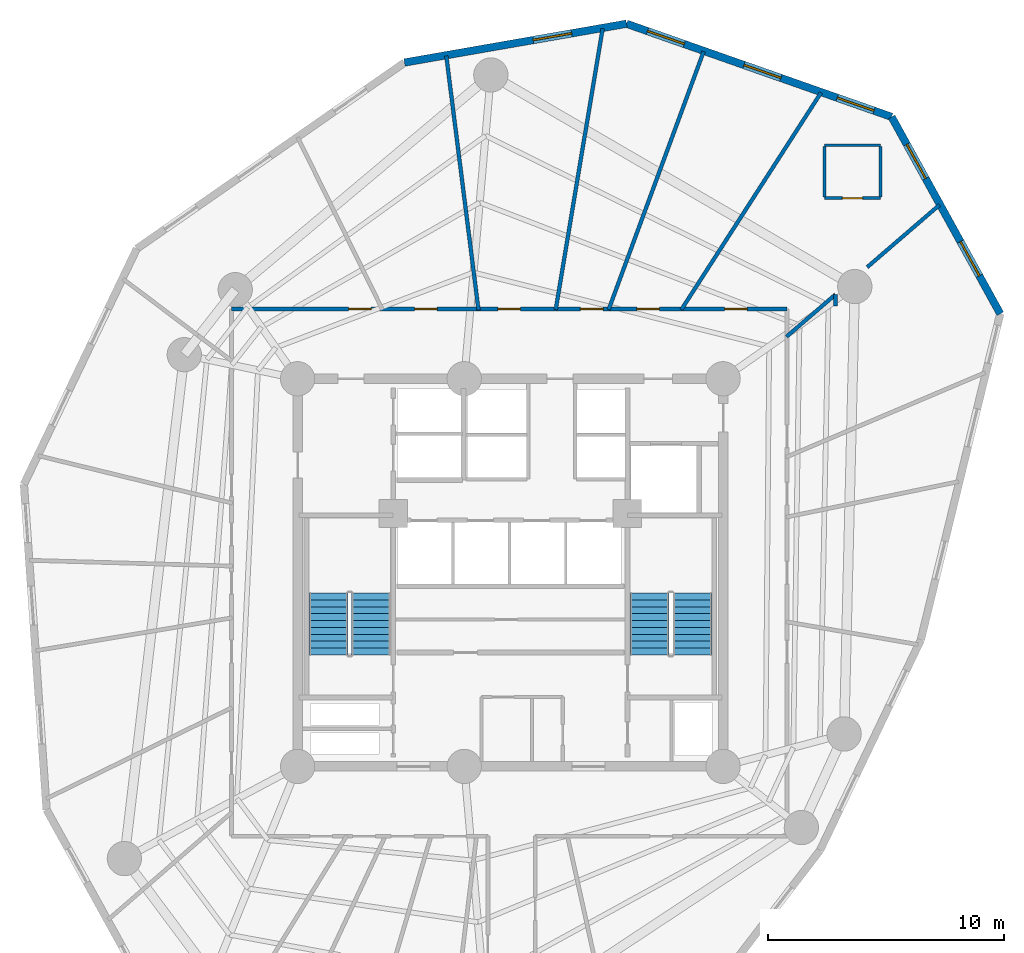
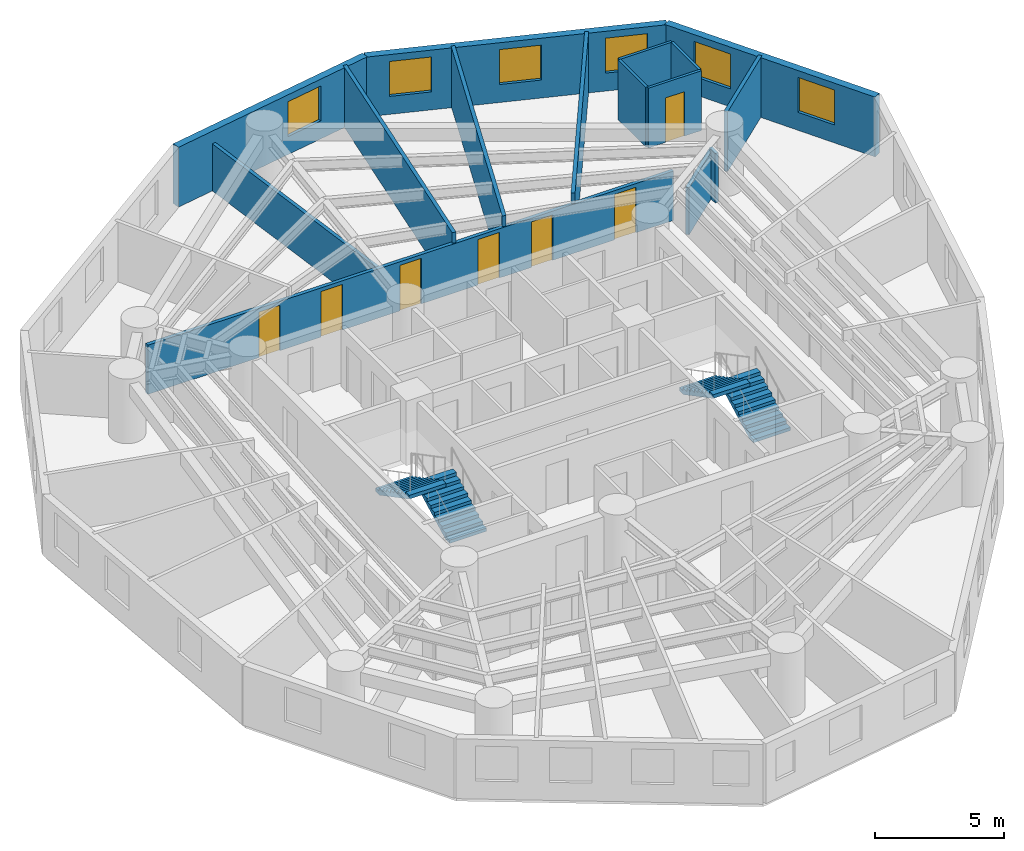
# One storey, part 6 of 7: 15 walls, 7 doors, 6 windows, 4 stair flights, 13 openings, 2 elements without a shape of their own.
"""IFC4 building model written with IfcOpenShell, lengths in metres."""

from ifc_helpers import new_model, si_unit, direction, frame, frame_2d, origin, origin_with_axes, place, context, subcontext, project, spatial, polyline, rectangle, outline, extrude, source, transform, mapped, material, layer, layer_set, type_object, element, fill, aggregate, save


model = new_model("IFC4")

# Units and contexts
model_context = context("Model", 3, precision=1e-05, world=origin(), true_north=direction((0.0, 1.0)))
body_context = subcontext(model_context, "Body", "Model", "MODEL_VIEW")
ifc_project = project(units=[si_unit("LENGTHUNIT", "METRE"), si_unit("AREAUNIT", "SQUARE_METRE"), si_unit("VOLUMEUNIT", "CUBIC_METRE"), si_unit("PLANEANGLEUNIT", "RADIAN"), si_unit("MASSUNIT", "GRAM", prefix="KILO")], contexts=[model_context])

# Site, building, storey
site_placement = place(None, origin())
site = spatial("IfcSite", under=ifc_project, at=site_placement, CompositionType="ELEMENT")
building_placement = place(site_placement, origin())
building = spatial("IfcBuilding", under=site, at=building_placement, Name="Karkom Vertical University and Central Library", CompositionType="ELEMENT")
storey_placement = place(building_placement, frame((0.0, 0.0, 123.64990234375)))
storey = spatial("IfcBuildingStorey", under=building, at=storey_placement, Name="L34", CompositionType="ELEMENT", Elevation=123.64990234375)

# Wall, openings, windows
ifc_material_1 = material(Name="Brick-faced precast concrete C45/55", Category="masonry")
ifc_layer_1 = layer(ifc_material_1, 0.320068359375)
ifc_layer_set_1 = layer_set([ifc_layer_1], Name="Brick-faced precast concrete C45/55")
wall_type_1 = type_object("IfcWallType", Name="ENV-WL-BRK-320", PredefinedType="SOLIDWALL", material=ifc_layer_set_1)
wall_1_placement = place(storey_placement, frame((49.226318359375, 37.44775390625, 0.0), z_axis=(0.0, 0.0, 1.0), x_axis=(-0.483190594732, 0.875515190709, 0.0)))
wall_1 = element("IfcWall", 1, at=wall_1_placement, inside=storey, type_object=wall_type_1, Name="Level 34 Brick-Faced Precast Facade Wall 09", PredefinedType="SOLIDWALL", context=body_context, shape_type="SweptSolid", body=[
    extrude(rectangle(XDim=9.5166015625, YDim=0.320068359375, at=frame_2d((4.75830078125, 0.0))), origin(), (0.0, 0.0, 1.0), 2.8251953125),
])
opening_1_placement = place(wall_1_placement, frame((1.83935546875, 0.0, 0.85009765625)))
opening_1 = element("IfcOpeningElement", 2, at=opening_1_placement, cuts=wall_1, Name="Opening WN-06", PredefinedType="OPENING", context=body_context, shape_type="SweptSolid", body=[
    extrude(rectangle(XDim=1.64990234375, YDim=1.64990234375, at=frame_2d((0.824951171875, 0.824951171875))), frame((0.0, 0.169921875, 0.0), z_axis=(0.0, -1.0, 0.0), x_axis=(1.0, 0.0, 0.0)), (0.0, 0.0, 1.0), 0.340087890625),
])
opening_2_placement = place(wall_1_placement, frame((6.537841796875, 0.0, 0.85009765625)))
opening_2 = element("IfcOpeningElement", 3, at=opening_2_placement, cuts=wall_1, Name="Opening WN-06", PredefinedType="OPENING", context=body_context, shape_type="SweptSolid", body=[
    extrude(rectangle(XDim=1.64990234375, YDim=1.64990234375, at=frame_2d((0.824951171875, 0.824951171875))), frame((0.0, 0.169921875, 0.0), z_axis=(0.0, -1.0, 0.0), x_axis=(1.0, 0.0, 0.0)), (0.0, 0.0, 1.0), 0.340087890625),
])
ifc_material_2 = material(Name="Aluminium thermal-break frame with solar-control IGU", Category="aluminium")
window_type = type_object("IfcWindowType", Name="ENV-WIN-WN-06", PartitioningType="SINGLE_PANEL", PredefinedType="WINDOW", material=ifc_material_2)
shared_shape_1 = source(origin_with_axes(), body_context, "Body", "SweptSolid", [
    extrude(rectangle(XDim=1.64990234375, YDim=1.64990234375, at=frame_2d((0.824951171875, 0.824951171875))), frame((0.0, 0.030029296875, 0.0), z_axis=(0.0, -1.0, 0.0), x_axis=(1.0, 0.0, 0.0)), (0.0, 0.0, 1.0), 0.06005859375),
])
window_1_placement = place(opening_1_placement, origin())
window_1 = element("IfcWindow", 4, at=window_1_placement, inside=storey, type_object=window_type, Name="Level 34 Punched Window 9.1", OverallHeight=1.64990234375, OverallWidth=1.64990234375, PartitioningType="SINGLE_PANEL", PredefinedType="WINDOW", context=body_context, shape_type="MappedRepresentation", body=[
    mapped(shared_shape_1, transform((0.0, 0.0, 0.0), scale=1.0)),
])
fill(opening_1, window_1)
window_2_placement = place(opening_2_placement, origin())
window_2 = element("IfcWindow", 5, at=window_2_placement, inside=storey, type_object=window_type, Name="Level 34 Punched Window 9.2", OverallHeight=1.64990234375, OverallWidth=1.64990234375, PartitioningType="SINGLE_PANEL", PredefinedType="WINDOW", context=body_context, shape_type="MappedRepresentation", body=[
    mapped(shared_shape_1, transform((0.0, 0.0, 0.0), scale=1.0)),
])
fill(opening_2, window_2)

wall_2_placement = place(storey_placement, frame((44.6279296875, 45.77978515625, 0.0), z_axis=(0.0, 0.0, 1.0), x_axis=(-0.943484621609, 0.331416307366, 0.0)))
wall_2 = element("IfcWall", 6, at=wall_2_placement, inside=storey, type_object=wall_type_1, Name="Level 34 Brick-Faced Precast Facade Wall 10", PredefinedType="SOLIDWALL", context=body_context, shape_type="SweptSolid", body=[
    extrude(rectangle(XDim=11.8837890625, YDim=0.320068359375, at=frame_2d((5.94189453125, 0.0))), origin(), (0.0, 0.0, 1.0), 2.8251953125),
])
opening_3_placement = place(wall_2_placement, frame((0.787109375, 0.0, 0.85009765625)))
opening_3 = element("IfcOpeningElement", 7, at=opening_3_placement, cuts=wall_2, Name="Opening WN-06", PredefinedType="OPENING", context=body_context, shape_type="SweptSolid", body=[
    extrude(rectangle(XDim=1.64990234375, YDim=1.64990234375, at=frame_2d((0.824951171875, 0.824951171875))), frame((0.0, 0.169921875, 0.0), z_axis=(0.0, -1.0, 0.0), x_axis=(1.0, 0.0, 0.0)), (0.0, 0.0, 1.0), 0.340087890625),
])
opening_4_placement = place(wall_2_placement, frame((4.96630859375, 0.0, 0.85009765625)))
opening_4 = element("IfcOpeningElement", 8, at=opening_4_placement, cuts=wall_2, Name="Opening WN-06", PredefinedType="OPENING", context=body_context, shape_type="SweptSolid", body=[
    extrude(rectangle(XDim=1.64990234375, YDim=1.64990234375, at=frame_2d((0.824951171875, 0.824951171875))), frame((0.0, 0.169921875, 0.0), z_axis=(0.0, -1.0, 0.0), x_axis=(1.0, 0.0, 0.0)), (0.0, 0.0, 1.0), 0.340087890625),
])
opening_5_placement = place(wall_2_placement, frame((9.296142578125, 0.0, 0.85009765625)))
opening_5 = element("IfcOpeningElement", 9, at=opening_5_placement, cuts=wall_2, Name="Opening WN-06", PredefinedType="OPENING", context=body_context, shape_type="SweptSolid", body=[
    extrude(rectangle(XDim=1.64990234375, YDim=1.64990234375, at=frame_2d((0.824951171875, 0.824951171875))), frame((0.0, 0.169921875, 0.0), z_axis=(0.0, -1.0, 0.0), x_axis=(1.0, 0.0, 0.0)), (0.0, 0.0, 1.0), 0.340087890625),
])
window_3_placement = place(opening_3_placement, origin())
window_3 = element("IfcWindow", 10, at=window_3_placement, inside=storey, type_object=window_type, Name="Level 34 Punched Window 10.1", OverallHeight=1.64990234375, OverallWidth=1.64990234375, PartitioningType="SINGLE_PANEL", PredefinedType="WINDOW", context=body_context, shape_type="MappedRepresentation", body=[
    mapped(shared_shape_1, transform((0.0, 0.0, 0.0), scale=1.0)),
])
fill(opening_3, window_3)
window_4_placement = place(opening_4_placement, origin())
window_4 = element("IfcWindow", 11, at=window_4_placement, inside=storey, type_object=window_type, Name="Level 34 Punched Window 10.2", OverallHeight=1.64990234375, OverallWidth=1.64990234375, PartitioningType="SINGLE_PANEL", PredefinedType="WINDOW", context=body_context, shape_type="MappedRepresentation", body=[
    mapped(shared_shape_1, transform((0.0, 0.0, 0.0), scale=1.0)),
])
fill(opening_4, window_4)
window_5_placement = place(opening_5_placement, origin())
window_5 = element("IfcWindow", 12, at=window_5_placement, inside=storey, type_object=window_type, Name="Level 34 Punched Window 10.3", OverallHeight=1.64990234375, OverallWidth=1.64990234375, PartitioningType="SINGLE_PANEL", PredefinedType="WINDOW", context=body_context, shape_type="MappedRepresentation", body=[
    mapped(shared_shape_1, transform((0.0, 0.0, 0.0), scale=1.0)),
])
fill(opening_5, window_5)

# Wall, opening, window
wall_3_placement = place(storey_placement, frame((33.415771484375, 49.71826171875, 0.0), z_axis=(0.0, 0.0, 1.0), x_axis=(-0.985088439162, -0.172048734463, 0.0)))
wall_3 = element("IfcWall", 13, at=wall_3_placement, inside=storey, type_object=wall_type_1, Name="Level 34 Brick-Faced Precast Facade Wall 11", PredefinedType="SOLIDWALL", context=body_context, shape_type="SweptSolid", body=[
    extrude(rectangle(XDim=9.537353515625, YDim=0.320068359375, at=frame_2d((4.7685546875, 0.0))), origin(), (0.0, 0.0, 1.0), 2.8251953125),
])
opening_6_placement = place(wall_3_placement, frame((2.3564453125, 0.0, 0.85009765625)))
opening_6 = element("IfcOpeningElement", 14, at=opening_6_placement, cuts=wall_3, Name="Opening WN-06", PredefinedType="OPENING", context=body_context, shape_type="SweptSolid", body=[
    extrude(rectangle(XDim=1.64990234375, YDim=1.64990234375, at=frame_2d((0.824951171875, 0.824951171875))), frame((0.0, 0.169921875, 0.0), z_axis=(0.0, -1.0, 0.0), x_axis=(1.0, 0.0, 0.0)), (0.0, 0.0, 1.0), 0.340087890625),
])
window_6_placement = place(opening_6_placement, origin())
window_6 = element("IfcWindow", 15, at=window_6_placement, inside=storey, type_object=window_type, Name="Level 34 Punched Window 11.1", OverallHeight=1.64990234375, OverallWidth=1.64990234375, PartitioningType="SINGLE_PANEL", PredefinedType="WINDOW", context=body_context, shape_type="MappedRepresentation", body=[
    mapped(shared_shape_1, transform((0.0, 0.0, 0.0), scale=1.0)),
])
fill(opening_6, window_6)

# Wall, openings, doors
ifc_material_3 = material(Name="Insulated metal-stud drywall 160mm", Category="gypsum")
ifc_layer_2 = layer(ifc_material_3, 0.159912109375)
ifc_layer_set_2 = layer_set([ifc_layer_2], Name="Insulated metal-stud drywall 160mm")
wall_type_2 = type_object("IfcWallType", Name="INT-WL-COR-160", PredefinedType="PARTITIONING", material=ifc_layer_set_2)
wall_4_placement = place(storey_placement, frame((16.699951171875, 37.64990234375, 0.0), z_axis=(0.0, 0.0, 1.0), x_axis=(1.0, 0.0, 0.0)))
wall_4 = element("IfcWall", 16, at=wall_4_placement, inside=storey, type_object=wall_type_2, Name="Level 34 Interior Partition Wall L34-CORW-CW-003", PredefinedType="PARTITIONING", context=body_context, shape_type="SweptSolid", body=[
    extrude(rectangle(XDim=23.5, YDim=0.159912109375, at=frame_2d((11.75, 0.0))), origin(), (0.0, 0.0, 1.0), 2.3251953125),
])
opening_7_placement = place(wall_4_placement, frame((20.86572265625, 0.0, 0.0)))
opening_7 = element("IfcOpeningElement", 17, at=opening_7_placement, cuts=wall_4, Name="Opening D-RM1", PredefinedType="OPENING", context=body_context, shape_type="SweptSolid", body=[
    extrude(rectangle(XDim=0.949951171875, YDim=2.14990234375, at=frame_2d((0.47509765625, 1.074951171875))), frame((0.0, 0.08984375, 0.0), z_axis=(0.0, -1.0, 0.0), x_axis=(1.0, 0.0, 0.0)), (0.0, 0.0, 1.0), 0.179931640625),
])
opening_8_placement = place(wall_4_placement, frame((17.14990234375, 0.0, 0.0)))
opening_8 = element("IfcOpeningElement", 18, at=opening_8_placement, cuts=wall_4, Name="Opening D-RM1", PredefinedType="OPENING", context=body_context, shape_type="SweptSolid", body=[
    extrude(rectangle(XDim=0.949951171875, YDim=2.14990234375, at=frame_2d((0.47509765625, 1.074951171875))), frame((0.0, 0.08984375, 0.0), z_axis=(0.0, -1.0, 0.0), x_axis=(1.0, 0.0, 0.0)), (0.0, 0.0, 1.0), 0.179931640625),
])
opening_9_placement = place(wall_4_placement, frame((14.760009765625, 0.0, 0.0)))
opening_9 = element("IfcOpeningElement", 19, at=opening_9_placement, cuts=wall_4, Name="Opening FD-RM2", PredefinedType="OPENING", context=body_context, shape_type="SweptSolid", body=[
    extrude(rectangle(XDim=0.9599609375, YDim=2.14990234375, at=frame_2d((0.47998046875, 1.074951171875))), frame((0.0, 0.08984375, 0.0), z_axis=(0.0, -1.0, 0.0), x_axis=(1.0, 0.0, 0.0)), (0.0, 0.0, 1.0), 0.179931640625),
])
opening_10_placement = place(wall_4_placement, frame((11.27490234375, 0.0, 0.0)))
opening_10 = element("IfcOpeningElement", 20, at=opening_10_placement, cuts=wall_4, Name="Opening D-RM1", PredefinedType="OPENING", context=body_context, shape_type="SweptSolid", body=[
    extrude(rectangle(XDim=0.949951171875, YDim=2.14990234375, at=frame_2d((0.47509765625, 1.074951171875))), frame((0.0, 0.08984375, 0.0), z_axis=(0.0, -1.0, 0.0), x_axis=(1.0, 0.0, 0.0)), (0.0, 0.0, 1.0), 0.179931640625),
])
opening_11_placement = place(wall_4_placement, frame((7.75, 0.0, 0.0)))
opening_11 = element("IfcOpeningElement", 21, at=opening_11_placement, cuts=wall_4, Name="Opening D-RM1", PredefinedType="OPENING", context=body_context, shape_type="SweptSolid", body=[
    extrude(rectangle(XDim=0.949951171875, YDim=2.14990234375, at=frame_2d((0.47509765625, 1.074951171875))), frame((0.0, 0.08984375, 0.0), z_axis=(0.0, -1.0, 0.0), x_axis=(1.0, 0.0, 0.0)), (0.0, 0.0, 1.0), 0.179931640625),
])
opening_12_placement = place(wall_4_placement, frame((4.9599609375, 0.0, 0.0)))
opening_12 = element("IfcOpeningElement", 22, at=opening_12_placement, cuts=wall_4, Name="Opening D-RM1", PredefinedType="OPENING", context=body_context, shape_type="SweptSolid", body=[
    extrude(rectangle(XDim=0.949951171875, YDim=2.14990234375, at=frame_2d((0.47509765625, 1.074951171875))), frame((0.0, 0.08984375, 0.0), z_axis=(0.0, -1.0, 0.0), x_axis=(1.0, 0.0, 0.0)), (0.0, 0.0, 1.0), 0.179931640625),
])
ifc_material_4 = material(Name="Fire-rated oak veneer door", Category="wood")
door_type_1 = type_object("IfcDoorType", Name="INT-DR-FRM2", OperationType="NOTDEFINED", PredefinedType="DOOR", material=ifc_material_4)
shared_shape_2 = source(origin_with_axes(), body_context, "Body", "SweptSolid", [
    extrude(rectangle(XDim=0.9599609375, YDim=2.14990234375, at=frame_2d((0.47998046875, 1.074951171875))), frame((0.0, 0.02490234375, 0.0), z_axis=(0.0, -1.0, 0.0), x_axis=(1.0, 0.0, 0.0)), (0.0, 0.0, 1.0), 0.050048828125),
])
door_1_placement = place(opening_9_placement, origin())
door_1 = element("IfcDoor", 23, at=door_1_placement, inside=storey, type_object=door_type_1, Name="Level 34 Room Entry Door 160", OperationType="SINGLE_SWING_LEFT", OverallHeight=2.14990234375, OverallWidth=0.9599609375, PredefinedType="DOOR", context=body_context, shape_type="MappedRepresentation", body=[
    mapped(shared_shape_2, transform((0.0, 0.0, 0.0), scale=1.0)),
])
fill(opening_9, door_1)
ifc_material_5 = material(Name="Solid-core oak veneer door", Category="wood")
door_type_2 = type_object("IfcDoorType", Name="INT-DR-RM1", OperationType="NOTDEFINED", PredefinedType="DOOR", material=ifc_material_5)
shared_shape_3 = source(origin_with_axes(), body_context, "Body", "SweptSolid", [
    extrude(rectangle(XDim=0.949951171875, YDim=2.14990234375, at=frame_2d((0.47509765625, 1.074951171875))), frame((0.0, 0.02490234375, 0.0), z_axis=(0.0, -1.0, 0.0), x_axis=(1.0, 0.0, 0.0)), (0.0, 0.0, 1.0), 0.050048828125),
])
door_2_placement = place(opening_7_placement, origin())
door_2 = element("IfcDoor", 24, at=door_2_placement, inside=storey, type_object=door_type_2, Name="Level 34 Room Entry Door 140", OperationType="SINGLE_SWING_LEFT", OverallHeight=2.14990234375, OverallWidth=0.949951171875, PredefinedType="DOOR", context=body_context, shape_type="MappedRepresentation", body=[
    mapped(shared_shape_3, transform((0.0, 0.0, 0.0), scale=1.0)),
])
fill(opening_7, door_2)
door_3_placement = place(opening_8_placement, origin())
door_3 = element("IfcDoor", 25, at=door_3_placement, inside=storey, type_object=door_type_2, Name="Level 34 Room Entry Door 150", OperationType="SINGLE_SWING_RIGHT", OverallHeight=2.14990234375, OverallWidth=0.949951171875, PredefinedType="DOOR", context=body_context, shape_type="MappedRepresentation", body=[
    mapped(shared_shape_3, transform((0.0, 0.0, 0.0), scale=1.0)),
])
fill(opening_8, door_3)
door_4_placement = place(opening_10_placement, origin())
door_4 = element("IfcDoor", 26, at=door_4_placement, inside=storey, type_object=door_type_2, Name="Level 34 Room Entry Door 170", OperationType="SINGLE_SWING_RIGHT", OverallHeight=2.14990234375, OverallWidth=0.949951171875, PredefinedType="DOOR", context=body_context, shape_type="MappedRepresentation", body=[
    mapped(shared_shape_3, transform((0.0, 0.0, 0.0), scale=1.0)),
])
fill(opening_10, door_4)
door_5_placement = place(opening_11_placement, origin())
door_5 = element("IfcDoor", 27, at=door_5_placement, inside=storey, type_object=door_type_2, Name="Level 34 Room Entry Door 180", OperationType="SINGLE_SWING_LEFT", OverallHeight=2.14990234375, OverallWidth=0.949951171875, PredefinedType="DOOR", context=body_context, shape_type="MappedRepresentation", body=[
    mapped(shared_shape_3, transform((0.0, 0.0, 0.0), scale=1.0)),
])
fill(opening_11, door_5)
door_6_placement = place(opening_12_placement, origin())
door_6 = element("IfcDoor", 28, at=door_6_placement, inside=storey, type_object=door_type_2, Name="Level 34 Room Entry Door 190", OperationType="SINGLE_SWING_RIGHT", OverallHeight=2.14990234375, OverallWidth=0.949951171875, PredefinedType="DOOR", context=body_context, shape_type="MappedRepresentation", body=[
    mapped(shared_shape_3, transform((0.0, 0.0, 0.0), scale=1.0)),
])
fill(opening_12, door_6)

# Walls
wall_5_placement = place(storey_placement, frame((30.41796875, 37.620361328125, 0.0), z_axis=(0.0, 0.0, 1.0), x_axis=(0.164710933683, 0.98634188207, 0.0)))
element("IfcWall", 29, at=wall_5_placement, inside=storey, type_object=wall_type_2, Name="Level 34 Interior Partition Wall L34-PW-019", PredefinedType="PARTITIONING", context=body_context, shape_type="SweptSolid", body=[
    extrude(rectangle(XDim=12.056396484375, YDim=0.159912109375, at=frame_2d((6.0283203125, 0.0))), origin(), (0.0, 0.0, 1.0), 2.8251953125),
])
wall_6_placement = place(storey_placement, frame((32.656982421875, 37.621826171875, 0.0), z_axis=(0.0, 0.0, 1.0), x_axis=(0.345391402171, 0.938458725414, 0.0)))
element("IfcWall", 30, at=wall_6_placement, inside=storey, type_object=wall_type_2, Name="Level 34 Interior Partition Wall L34-PW-018", PredefinedType="PARTITIONING", context=body_context, shape_type="SweptSolid", body=[
    extrude(rectangle(XDim=11.640380859375, YDim=0.159912109375, at=frame_2d((5.8203125, 0.0))), origin(), (0.0, 0.0, 1.0), 2.8251953125),
])
wall_7_placement = place(storey_placement, frame((35.73388671875, 37.624755859375, 0.0), z_axis=(0.0, 0.0, 1.0), x_axis=(0.54132507633, 0.840813392933, 0.0)))
element("IfcWall", 31, at=wall_7_placement, inside=storey, type_object=wall_type_2, Name="Level 34 Interior Partition Wall L34-PW-017", PredefinedType="PARTITIONING", context=body_context, shape_type="SweptSolid", body=[
    extrude(rectangle(XDim=10.9130859375, YDim=0.159912109375, at=frame_2d((5.45654296875, 0.0))), origin(), (0.0, 0.0, 1.0), 2.8251953125),
])
wall_8_placement = place(storey_placement, frame((27.153076171875, 37.605224609375, 0.0), z_axis=(0.0, 0.0, 1.0), x_axis=(-0.125744588112, 0.992062648506, 0.0)))
element("IfcWall", 32, at=wall_8_placement, inside=storey, type_object=wall_type_2, Name="Level 34 Interior Partition Wall L34-PW-020", PredefinedType="PARTITIONING", context=body_context, shape_type="SweptSolid", body=[
    extrude(rectangle(XDim=10.841552734375, YDim=0.159912109375, at=frame_2d((5.4208984375, 0.0))), origin(), (0.0, 0.0, 1.0), 2.22509765625),
])
wall_9_placement = place(storey_placement, frame((43.594970703125, 39.419921875, 0.0), z_axis=(0.0, 0.0, 1.0), x_axis=(0.757734743663, 0.6525626853, 0.0)))
element("IfcWall", 33, at=wall_9_placement, inside=storey, type_object=wall_type_2, Name="Level 34 Interior Partition Wall L34-PW-016", PredefinedType="PARTITIONING", context=body_context, shape_type="SweptSolid", body=[
    extrude(rectangle(XDim=4.036865234375, YDim=0.159912109375, at=frame_2d((2.0185546875, 0.0))), origin(), (0.0, 0.0, 1.0), 2.8251953125),
])
wall_10_placement = place(storey_placement, frame((40.17724609375, 36.476806640625, 0.0), z_axis=(0.0, 0.0, 1.0), x_axis=(0.757761446907, 0.652531677071, 0.0)))
element("IfcWall", 34, at=wall_10_placement, inside=storey, type_object=wall_type_2, Name="Level 34 Interior Partition Wall L34-PW-014", PredefinedType="PARTITIONING", context=body_context, shape_type="SweptSolid", body=[
    extrude(rectangle(XDim=2.7353515625, YDim=0.159912109375, at=frame_2d((1.36767578125, 0.0))), origin(), (0.0, 0.0, 1.0), 2.22509765625),
])
wall_11_placement = place(storey_placement, frame((42.25, 38.26171875, 0.0), z_axis=(0.0, 0.0, 1.0), x_axis=(0.0, -1.0, 0.0)))
element("IfcWall", 35, at=wall_11_placement, inside=storey, type_object=wall_type_2, Name="Level 34 Interior Partition Wall L34-PW-015", PredefinedType="PARTITIONING", context=body_context, shape_type="SweptSolid", body=[
    extrude(rectangle(XDim=0.481689453125, YDim=0.159912109375, at=frame_2d((0.24072265625, 0.0))), origin(), (0.0, 0.0, 1.0), 2.3251953125),
])

# Wall, opening, door
ifc_material_6 = material(Name="Moisture-resistant drywall 120mm", Category="gypsum")
ifc_layer_3 = layer(ifc_material_6, 0.1201171875)
ifc_layer_set_3 = layer_set([ifc_layer_3], Name="Moisture-resistant drywall 120mm")
wall_type_3 = type_object("IfcWallType", Name="INT-WL-INT-120F", PredefinedType="PARTITIONING", material=ifc_layer_set_3)
wall_12_placement = place(storey_placement, frame((41.7939453125, 42.339111328125, 0.0), z_axis=(0.0, 0.0, 1.0), x_axis=(1.0, 0.0, 0.0)))
wall_12 = element("IfcWall", 36, at=wall_12_placement, inside=storey, type_object=wall_type_3, Name="Level 34 Interior Partition Wall L34-ENS-84-S", PredefinedType="PARTITIONING", context=body_context, shape_type="SweptSolid", body=[
    extrude(rectangle(XDim=2.360107421875, YDim=0.1201171875, at=frame_2d((1.18017578125, 0.0))), origin(), (0.0, 0.0, 1.0), 2.8251953125),
])
opening_13_placement = place(wall_12_placement, frame((0.75, 0.0, 0.0)))
opening_13 = element("IfcOpeningElement", 37, at=opening_13_placement, cuts=wall_12, Name="Opening D-BATH", PredefinedType="OPENING", context=body_context, shape_type="SweptSolid", body=[
    extrude(rectangle(XDim=0.860107421875, YDim=2.10009765625, at=frame_2d((0.43017578125, 1.050048828125))), frame((0.0, 0.070068359375, 0.0), z_axis=(0.0, -1.0, 0.0), x_axis=(1.0, 0.0, 0.0)), (0.0, 0.0, 1.0), 0.14013671875),
])
ifc_material_7 = material(Name="Moisture-resistant oak door", Category="wood")
door_type_3 = type_object("IfcDoorType", Name="INT-DR-BATH", OperationType="NOTDEFINED", PredefinedType="DOOR", material=ifc_material_7)
shared_shape_4 = source(origin_with_axes(), body_context, "Body", "SweptSolid", [
    extrude(rectangle(XDim=0.860107421875, YDim=2.10009765625, at=frame_2d((0.43017578125, 1.050048828125))), frame((0.0, 0.02490234375, 0.0), z_axis=(0.0, -1.0, 0.0), x_axis=(1.0, 0.0, 0.0)), (0.0, 0.0, 1.0), 0.050048828125),
])
door_7_placement = place(opening_13_placement, origin())
door_7 = element("IfcDoor", 38, at=door_7_placement, inside=storey, type_object=door_type_3, Name="Level 34 En-Suite Bathroom Door 84", OperationType="SINGLE_SWING_RIGHT", OverallHeight=2.10009765625, OverallWidth=0.860107421875, PredefinedType="DOOR", context=body_context, shape_type="MappedRepresentation", body=[
    mapped(shared_shape_4, transform((0.0, 0.0, 0.0), scale=1.0)),
])
fill(opening_13, door_7)

# Walls
wall_13_placement = place(storey_placement, frame((44.154052734375, 44.5791015625, 0.0), z_axis=(0.0, 0.0, 1.0), x_axis=(-1.0, 0.0, 0.0)))
element("IfcWall", 39, at=wall_13_placement, inside=storey, type_object=wall_type_3, Name="Level 34 Interior Partition Wall L34-ENS-84-N", PredefinedType="PARTITIONING", context=body_context, shape_type="SweptSolid", body=[
    extrude(rectangle(XDim=2.360107421875, YDim=0.1201171875, at=frame_2d((1.18017578125, 0.0))), origin(), (0.0, 0.0, 1.0), 2.8251953125),
])
for number, where, z_axis, x_axis, name in (
    (40, (44.154052734375, 42.388916015625, 0.0), (0.0, 0.0, 1.0), (0.0, 1.0, 0.0), "Level 34 Interior Partition Wall L34-ENS-84-E"),
    (41, (41.7939453125, 44.529052734375, 0.0), (0.0, 0.0, 1.0), (0.0, -1.0, 0.0), "Level 34 Interior Partition Wall L34-ENS-84-W"),
):
    element("IfcWall", number, at=place(storey_placement, frame(where, z_axis=z_axis, x_axis=x_axis)), inside=storey, type_object=wall_type_3, Name=name, PredefinedType="PARTITIONING", context=body_context, shape_type="SweptSolid", body=[
        extrude(rectangle(XDim=2.14013671875, YDim=0.1201171875, at=frame_2d((1.070068359375, 0.0))), origin(), (0.0, 0.0, 1.0), 2.8251953125),
    ])

# Stair, stair flights
ifc_material_8 = material(Name="Concrete C45/55", Category="concrete")
stair_type = type_object("IfcStairType", Name="INT-STR-ST-MAIN", PredefinedType="HALF_TURN_STAIR", material=ifc_material_8)
stair_1_placement = place(storey_placement, origin())
stair_1 = element("IfcStair", 42, at=stair_1_placement, inside=storey, type_object=stair_type, Name="Level 34 Tower Protected Exit Stair ST-1", PredefinedType="HALF_TURN_STAIR")
stair_flight_type = type_object("IfcStairFlightType", Name="INT-SFL-ST-MAIN", PredefinedType="STRAIGHT", material=ifc_material_8)
stair_flight_1_placement = place(storey_placement, frame((22.614990234375, 23.02001953125, 0.0), z_axis=(0.0, 0.0, 1.0), x_axis=(0.0, 1.0, 0.0)))
stair_flight_1 = element("IfcStairFlight", 43, at=stair_flight_1_placement, type_object=stair_flight_type, Name="ST-1 flight 1", NumberOfRisers=10, NumberOfTreads=9, PredefinedType="STRAIGHT", RiserHeight=0.1525, TreadLength=0.29, context=body_context, shape_type="SweptSolid", body=[
    extrude(outline(polyline([(0.0, 0.0), (0.0, 0.152587890625), (0.2900390625, 0.152587890625), (0.2900390625, 0.304931640625), (0.580078125, 0.304931640625), (0.580078125, 0.45751953125), (0.8701171875, 0.45751953125), (0.8701171875, 0.610107421875), (1.159912109375, 0.610107421875), (1.159912109375, 0.762451171875), (1.449951171875, 0.762451171875), (1.449951171875, 0.9150390625), (1.739990234375, 0.9150390625), (1.739990234375, 1.0673828125), (2.030029296875, 1.0673828125), (2.030029296875, 1.219970703125), (2.320068359375, 1.219970703125), (2.320068359375, 1.37255859375), (2.610107421875, 1.37255859375), (2.610107421875, 1.52490234375), (2.610107421875, 1.203125), (0.322021484375, 0.0), (0.0, 0.0)])), frame((0.0, 0.824951171875, 0.0), z_axis=(0.0, -1.0, 0.0), x_axis=(1.0, 0.0, 0.0)), (0.0, 0.0, 1.0), 1.64990234375),
])
stair_flight_2_placement = place(storey_placement, frame((20.804931640625, 25.6298828125, 1.525146484375), z_axis=(0.0, 0.0, 1.0), x_axis=(0.0, -1.0, 0.0)))
stair_flight_2 = element("IfcStairFlight", 44, at=stair_flight_2_placement, type_object=stair_flight_type, Name="ST-1 flight 2", NumberOfRisers=10, NumberOfTreads=9, PredefinedType="STRAIGHT", RiserHeight=0.1525, TreadLength=0.29, context=body_context, shape_type="SweptSolid", body=[
    extrude(outline(polyline([(0.0, 0.0), (0.0, 0.152587890625), (0.2900390625, 0.152587890625), (0.2900390625, 0.304931640625), (0.580078125, 0.304931640625), (0.580078125, 0.45751953125), (0.8701171875, 0.45751953125), (0.8701171875, 0.610107421875), (1.159912109375, 0.610107421875), (1.159912109375, 0.762451171875), (1.449951171875, 0.762451171875), (1.449951171875, 0.9150390625), (1.739990234375, 0.9150390625), (1.739990234375, 1.0673828125), (2.030029296875, 1.0673828125), (2.030029296875, 1.219970703125), (2.320068359375, 1.219970703125), (2.320068359375, 1.37255859375), (2.610107421875, 1.37255859375), (2.610107421875, 1.52490234375), (2.610107421875, 1.203125), (0.322021484375, 0.0), (0.0, 0.0)])), frame((0.0, 0.824951171875, 0.0), z_axis=(0.0, -1.0, 0.0), x_axis=(1.0, 0.0, 0.0)), (0.0, 0.0, 1.0), 1.64990234375),
])
aggregate(stair_1, [stair_flight_1, stair_flight_2])

stair_2_placement = place(storey_placement, origin())
stair_2 = element("IfcStair", 45, at=stair_2_placement, inside=storey, type_object=stair_type, Name="Level 34 Tower Protected Exit Stair ST-2", PredefinedType="HALF_TURN_STAIR")
stair_flight_3_placement = place(storey_placement, frame((36.195068359375, 23.02001953125, 0.0), z_axis=(0.0, 0.0, 1.0), x_axis=(0.0, 1.0, 0.0)))
stair_flight_3 = element("IfcStairFlight", 46, at=stair_flight_3_placement, type_object=stair_flight_type, Name="ST-2 flight 1", NumberOfRisers=10, NumberOfTreads=9, PredefinedType="STRAIGHT", RiserHeight=0.1525, TreadLength=0.29, context=body_context, shape_type="SweptSolid", body=[
    extrude(outline(polyline([(0.0, 0.0), (0.0, 0.152587890625), (0.2900390625, 0.152587890625), (0.2900390625, 0.304931640625), (0.580078125, 0.304931640625), (0.580078125, 0.45751953125), (0.8701171875, 0.45751953125), (0.8701171875, 0.610107421875), (1.159912109375, 0.610107421875), (1.159912109375, 0.762451171875), (1.449951171875, 0.762451171875), (1.449951171875, 0.9150390625), (1.739990234375, 0.9150390625), (1.739990234375, 1.0673828125), (2.030029296875, 1.0673828125), (2.030029296875, 1.219970703125), (2.320068359375, 1.219970703125), (2.320068359375, 1.37255859375), (2.610107421875, 1.37255859375), (2.610107421875, 1.52490234375), (2.610107421875, 1.203125), (0.322021484375, 0.0), (0.0, 0.0)])), frame((0.0, 0.824951171875, 0.0), z_axis=(0.0, -1.0, 0.0), x_axis=(1.0, 0.0, 0.0)), (0.0, 0.0, 1.0), 1.64990234375),
])
stair_flight_4_placement = place(storey_placement, frame((34.385009765625, 25.6298828125, 1.525146484375), z_axis=(0.0, 0.0, 1.0), x_axis=(0.0, -1.0, 0.0)))
stair_flight_4 = element("IfcStairFlight", 47, at=stair_flight_4_placement, type_object=stair_flight_type, Name="ST-2 flight 2", NumberOfRisers=10, NumberOfTreads=9, PredefinedType="STRAIGHT", RiserHeight=0.1525, TreadLength=0.29, context=body_context, shape_type="SweptSolid", body=[
    extrude(outline(polyline([(0.0, 0.0), (0.0, 0.152587890625), (0.2900390625, 0.152587890625), (0.2900390625, 0.304931640625), (0.580078125, 0.304931640625), (0.580078125, 0.45751953125), (0.8701171875, 0.45751953125), (0.8701171875, 0.610107421875), (1.159912109375, 0.610107421875), (1.159912109375, 0.762451171875), (1.449951171875, 0.762451171875), (1.449951171875, 0.9150390625), (1.739990234375, 0.9150390625), (1.739990234375, 1.0673828125), (2.030029296875, 1.0673828125), (2.030029296875, 1.219970703125), (2.320068359375, 1.219970703125), (2.320068359375, 1.37255859375), (2.610107421875, 1.37255859375), (2.610107421875, 1.52490234375), (2.610107421875, 1.203125), (0.322021484375, 0.0), (0.0, 0.0)])), frame((0.0, 0.824951171875, 0.0), z_axis=(0.0, -1.0, 0.0), x_axis=(1.0, 0.0, 0.0)), (0.0, 0.0, 1.0), 1.64990234375),
])
aggregate(stair_2, [stair_flight_3, stair_flight_4])

save(model, "model.ifc")
